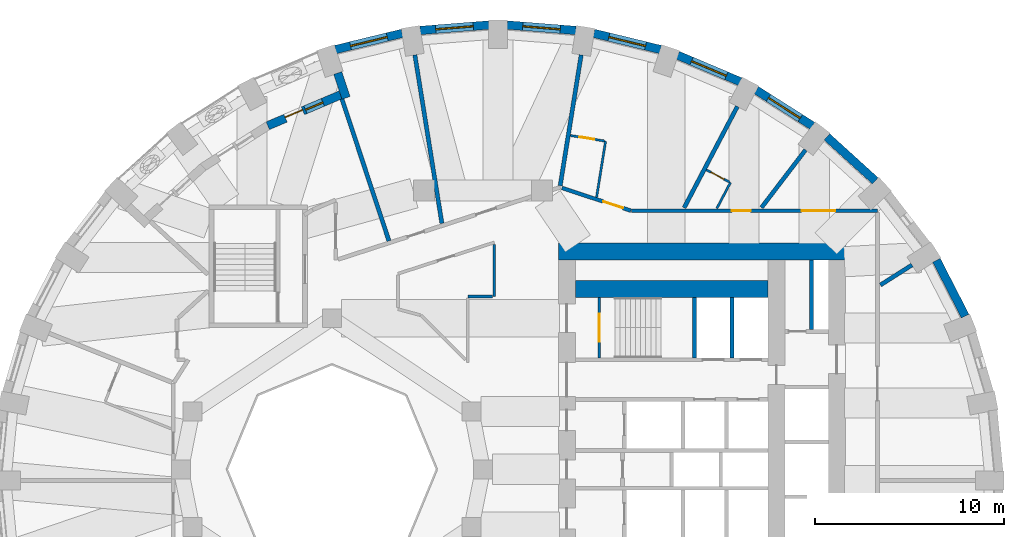
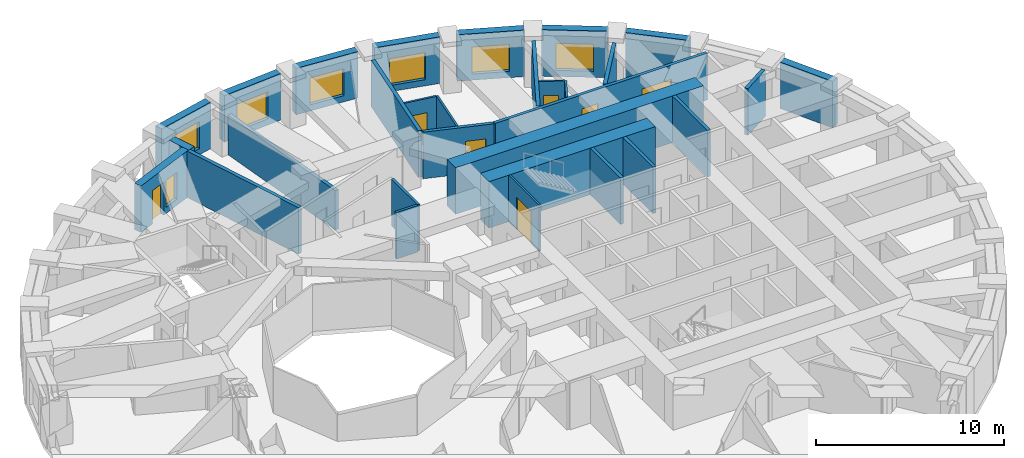
# One storey, part 8 of 12: 30 walls, 7 doors, 7 windows, 14 openings.
"""IFC4 building model written with IfcOpenShell, lengths in metres."""

from ifc_helpers import new_model, si_unit, direction, frame, frame_2d, origin, place, context, subcontext, project, spatial, rectangle, extrude, material, layer, layer_set, type_object, element, fill, save


model = new_model("IFC4")

# Units and contexts
model_context = context("Model", 3, precision=1e-05, world=origin(), true_north=direction((0.0, 1.0)))
body_context = subcontext(model_context, "Body", "Model", "MODEL_VIEW")
ifc_project = project(units=[si_unit("LENGTHUNIT", "METRE"), si_unit("AREAUNIT", "SQUARE_METRE"), si_unit("VOLUMEUNIT", "CUBIC_METRE"), si_unit("PLANEANGLEUNIT", "RADIAN"), si_unit("MASSUNIT", "GRAM", prefix="KILO")], contexts=[model_context])

# Site, building, storey
site_placement = place(None, origin())
site = spatial("IfcSite", under=ifc_project, at=site_placement, CompositionType="ELEMENT")
building_placement = place(site_placement, origin())
building = spatial("IfcBuilding", under=site, at=building_placement, Name="Taillehof Tower", CompositionType="ELEMENT")
storey_placement = place(building_placement, frame((0.0, 0.0, 121.89990234375)))
storey = spatial("IfcBuildingStorey", under=building, at=storey_placement, Name="L34", CompositionType="ELEMENT", Elevation=121.89990234375)

# Walls
ifc_material_1 = material(Name="Brick masonry", Category="masonry")
ifc_layer_1 = layer(ifc_material_1, 0.449951171875)
ifc_layer_set_1 = layer_set([ifc_layer_1], Name="Brick infill wall 450")
wall_type_1 = type_object("IfcWallType", Name="Brick infill wall 450", PredefinedType="SOLIDWALL", material=ifc_layer_set_1)
wall_1_placement = place(storey_placement, frame((25.545166015625, 8.1123046875, 0.0), z_axis=(0.0, 0.0, 1.0), x_axis=(-0.456828186229, 0.889554949549, 0.0)))
element("IfcWall", 1, at=wall_1_placement, inside=storey, type_object=wall_type_1, Name="Brick wall L34 bay 3", PredefinedType="SOLIDWALL", context=body_context, shape_type="SweptSolid", body=[
    extrude(rectangle(XDim=3.332763671875, YDim=0.449951171875, at=frame_2d((1.66650390625, 0.0))), origin(), (0.0, 0.0, 1.0), 3.02001953125),
])
wall_2_placement = place(storey_placement, frame((20.783935546875, 15.281005859375, 0.0), z_axis=(0.0, 0.0, 1.0), x_axis=(-0.74032902847, 0.672244694739, 0.0)))
element("IfcWall", 2, at=wall_2_placement, inside=storey, type_object=wall_type_1, Name="Brick wall L34 bay 5", PredefinedType="SOLIDWALL", context=body_context, shape_type="SweptSolid", body=[
    extrude(rectangle(XDim=3.4638671875, YDim=0.449951171875, at=frame_2d((1.73193359375, 0.0))), origin(), (0.0, 0.0, 1.0), 3.02001953125),
])

# Wall, opening, window
wall_3_placement = place(storey_placement, frame((17.456298828125, 18.19189453125, 0.0), z_axis=(0.0, 0.0, 1.0), x_axis=(-0.843880549131, 0.536531097699, 0.0)))
wall_3 = element("IfcWall", 3, at=wall_3_placement, inside=storey, type_object=wall_type_1, Name="Brick wall L34 bay 6", PredefinedType="SOLIDWALL", context=body_context, shape_type="SweptSolid", body=[
    extrude(rectangle(XDim=3.532470703125, YDim=0.449951171875, at=frame_2d((1.76611328125, 0.0))), origin(), (0.0, 0.0, 1.0), 3.02001953125),
])
opening_1_placement = place(wall_3_placement, frame((0.76611328125, 0.0, 0.39990234375)))
opening_1 = element("IfcOpeningElement", 4, at=opening_1_placement, cuts=wall_3, Name="Opening W2", PredefinedType="OPENING", context=body_context, shape_type="SweptSolid", body=[
    extrude(rectangle(XDim=2.0, YDim=1.75, at=frame_2d((1.0, 0.875))), frame((0.0, 0.23486328125, 0.0), z_axis=(0.0, -1.0, 0.0), x_axis=(1.0, 0.0, 0.0)), (0.0, 0.0, 1.0), 0.469970703125),
])
ifc_material_2 = material(Name="Aluminium window frame with clear double glazing", Category="aluminium")
window_type_1 = type_object("IfcWindowType", Name="Deep-set window 2000x1750", PartitioningType="SINGLE_PANEL", PredefinedType="WINDOW", material=ifc_material_2)
window_1_placement = place(opening_1_placement, origin())
window_1 = element("IfcWindow", 5, at=window_1_placement, inside=storey, type_object=window_type_1, Name="W2", OverallHeight=1.75, OverallWidth=2.0, PartitioningType="SINGLE_PANEL", PredefinedType="WINDOW", context=body_context, shape_type="SweptSolid", body=[
    extrude(rectangle(XDim=2.0, YDim=1.75, at=frame_2d((1.0, 0.875))), frame((0.0, 0.034912109375, 0.0), z_axis=(0.0, -1.0, 0.0), x_axis=(1.0, 0.0, 0.0)), (0.0, 0.0, 1.0), 0.06005859375),
])
fill(opening_1, window_1)

wall_4_placement = place(storey_placement, frame((13.625244140625, 20.533447265625, 0.0), z_axis=(0.0, 0.0, 1.0), x_axis=(-0.920869643542, 0.389870619055, 0.0)))
wall_4 = element("IfcWall", 6, at=wall_4_placement, inside=storey, type_object=wall_type_1, Name="Brick wall L34 bay 7", PredefinedType="SOLIDWALL", context=body_context, shape_type="SweptSolid", body=[
    extrude(rectangle(XDim=3.59130859375, YDim=0.449951171875, at=frame_2d((1.795654296875, 0.0))), origin(), (0.0, 0.0, 1.0), 3.02001953125),
])
opening_2_placement = place(wall_4_placement, frame((0.795654296875, 0.0, 0.39990234375)))
opening_2 = element("IfcOpeningElement", 7, at=opening_2_placement, cuts=wall_4, Name="Opening W2", PredefinedType="OPENING", context=body_context, shape_type="SweptSolid", body=[
    extrude(rectangle(XDim=2.0, YDim=1.75, at=frame_2d((1.0, 0.875))), frame((0.0, 0.23486328125, 0.0), z_axis=(0.0, -1.0, 0.0), x_axis=(1.0, 0.0, 0.0)), (0.0, 0.0, 1.0), 0.469970703125),
])
window_2_placement = place(opening_2_placement, origin())
window_2 = element("IfcWindow", 8, at=window_2_placement, inside=storey, type_object=window_type_1, Name="W2", OverallHeight=1.75, OverallWidth=2.0, PartitioningType="SINGLE_PANEL", PredefinedType="WINDOW", context=body_context, shape_type="SweptSolid", body=[
    extrude(rectangle(XDim=2.0, YDim=1.75, at=frame_2d((1.0, 0.875))), frame((0.0, 0.034912109375, 0.0), z_axis=(0.0, -1.0, 0.0), x_axis=(1.0, 0.0, 0.0)), (0.0, 0.0, 1.0), 0.06005859375),
])
fill(opening_2, window_2)

wall_5_placement = place(storey_placement, frame((9.406494140625, 22.2353515625, 0.0), z_axis=(0.0, 0.0, 1.0), x_axis=(-0.971667603162, 0.236351579148, 0.0)))
wall_5 = element("IfcWall", 9, at=wall_5_placement, inside=storey, type_object=wall_type_1, Name="Brick wall L34 bay 8", PredefinedType="SOLIDWALL", context=body_context, shape_type="SweptSolid", body=[
    extrude(rectangle(XDim=3.635009765625, YDim=0.449951171875, at=frame_2d((1.8173828125, 0.0))), origin(), (0.0, 0.0, 1.0), 3.02001953125),
])
opening_3_placement = place(wall_5_placement, frame((0.8173828125, 0.0, 0.39990234375)))
opening_3 = element("IfcOpeningElement", 10, at=opening_3_placement, cuts=wall_5, Name="Opening W2", PredefinedType="OPENING", context=body_context, shape_type="SweptSolid", body=[
    extrude(rectangle(XDim=2.0, YDim=1.75, at=frame_2d((1.0, 0.875))), frame((0.0, 0.23486328125, 0.0), z_axis=(0.0, -1.0, 0.0), x_axis=(1.0, 0.0, 0.0)), (0.0, 0.0, 1.0), 0.469970703125),
])
window_3_placement = place(opening_3_placement, origin())
window_3 = element("IfcWindow", 11, at=window_3_placement, inside=storey, type_object=window_type_1, Name="W2", OverallHeight=1.75, OverallWidth=2.0, PartitioningType="SINGLE_PANEL", PredefinedType="WINDOW", context=body_context, shape_type="SweptSolid", body=[
    extrude(rectangle(XDim=2.0, YDim=1.75, at=frame_2d((1.0, 0.875))), frame((0.0, 0.034912109375, 0.0), z_axis=(0.0, -1.0, 0.0), x_axis=(1.0, 0.0, 0.0)), (0.0, 0.0, 1.0), 0.06005859375),
])
fill(opening_3, window_3)

wall_6_placement = place(storey_placement, frame((4.926513671875, 23.24658203125, 0.0), z_axis=(0.0, 0.0, 1.0), x_axis=(-0.996862216754, 0.079156306178, 0.0)))
wall_6 = element("IfcWall", 12, at=wall_6_placement, inside=storey, type_object=wall_type_1, Name="Brick wall L34 bay 9", PredefinedType="SOLIDWALL", context=body_context, shape_type="SweptSolid", body=[
    extrude(rectangle(XDim=3.657958984375, YDim=0.449951171875, at=frame_2d((1.8291015625, 0.0))), origin(), (0.0, 0.0, 1.0), 3.02001953125),
])
opening_4_placement = place(wall_6_placement, frame((0.8291015625, 0.0, 0.39990234375)))
opening_4 = element("IfcOpeningElement", 13, at=opening_4_placement, cuts=wall_6, Name="Opening W2", PredefinedType="OPENING", context=body_context, shape_type="SweptSolid", body=[
    extrude(rectangle(XDim=2.0, YDim=1.75, at=frame_2d((1.0, 0.875))), frame((0.0, 0.23486328125, 0.0), z_axis=(0.0, -1.0, 0.0), x_axis=(1.0, 0.0, 0.0)), (0.0, 0.0, 1.0), 0.469970703125),
])
window_4_placement = place(opening_4_placement, origin())
window_4 = element("IfcWindow", 14, at=window_4_placement, inside=storey, type_object=window_type_1, Name="W2", OverallHeight=1.75, OverallWidth=2.0, PartitioningType="SINGLE_PANEL", PredefinedType="WINDOW", context=body_context, shape_type="SweptSolid", body=[
    extrude(rectangle(XDim=2.0, YDim=1.75, at=frame_2d((1.0, 0.875))), frame((0.0, 0.034912109375, 0.0), z_axis=(0.0, -1.0, 0.0), x_axis=(1.0, 0.0, 0.0)), (0.0, 0.0, 1.0), 0.06005859375),
])
fill(opening_4, window_4)

wall_7_placement = place(storey_placement, frame((0.31982421875, 23.5361328125, 0.0), z_axis=(0.0, 0.0, 1.0), x_axis=(-0.996862216754, -0.079156306178, 0.0)))
wall_7 = element("IfcWall", 15, at=wall_7_placement, inside=storey, type_object=wall_type_1, Name="Brick wall L34 bay 10", PredefinedType="SOLIDWALL", context=body_context, shape_type="SweptSolid", body=[
    extrude(rectangle(XDim=3.657958984375, YDim=0.449951171875, at=frame_2d((1.8291015625, 0.0))), origin(), (0.0, 0.0, 1.0), 3.02001953125),
])
opening_5_placement = place(wall_7_placement, frame((0.8291015625, 0.0, 0.39990234375)))
opening_5 = element("IfcOpeningElement", 16, at=opening_5_placement, cuts=wall_7, Name="Opening W2", PredefinedType="OPENING", context=body_context, shape_type="SweptSolid", body=[
    extrude(rectangle(XDim=2.0, YDim=1.75, at=frame_2d((1.0, 0.875))), frame((0.0, 0.23486328125, 0.0), z_axis=(0.0, -1.0, 0.0), x_axis=(1.0, 0.0, 0.0)), (0.0, 0.0, 1.0), 0.469970703125),
])
window_5_placement = place(opening_5_placement, origin())
window_5 = element("IfcWindow", 17, at=window_5_placement, inside=storey, type_object=window_type_1, Name="W2", OverallHeight=1.75, OverallWidth=2.0, PartitioningType="SINGLE_PANEL", PredefinedType="WINDOW", context=body_context, shape_type="SweptSolid", body=[
    extrude(rectangle(XDim=2.0, YDim=1.75, at=frame_2d((1.0, 0.875))), frame((0.0, 0.034912109375, 0.0), z_axis=(0.0, -1.0, 0.0), x_axis=(1.0, 0.0, 0.0)), (0.0, 0.0, 1.0), 0.06005859375),
])
fill(opening_5, window_5)

wall_8_placement = place(storey_placement, frame((-4.274658203125, 23.094482421875, 0.0), z_axis=(0.0, 0.0, 1.0), x_axis=(-0.971667603162, -0.236351579148, 0.0)))
wall_8 = element("IfcWall", 18, at=wall_8_placement, inside=storey, type_object=wall_type_1, Name="Brick wall L34 bay 11", PredefinedType="SOLIDWALL", context=body_context, shape_type="SweptSolid", body=[
    extrude(rectangle(XDim=3.635009765625, YDim=0.449951171875, at=frame_2d((1.8173828125, 0.0))), origin(), (0.0, 0.0, 1.0), 3.02001953125),
])
opening_6_placement = place(wall_8_placement, frame((0.8173828125, 0.0, 0.39990234375)))
opening_6 = element("IfcOpeningElement", 19, at=opening_6_placement, cuts=wall_8, Name="Opening W2", PredefinedType="OPENING", context=body_context, shape_type="SweptSolid", body=[
    extrude(rectangle(XDim=2.0, YDim=1.75, at=frame_2d((1.0, 0.875))), frame((0.0, 0.23486328125, 0.0), z_axis=(0.0, -1.0, 0.0), x_axis=(1.0, 0.0, 0.0)), (0.0, 0.0, 1.0), 0.469970703125),
])
window_6_placement = place(opening_6_placement, origin())
window_6 = element("IfcWindow", 20, at=window_6_placement, inside=storey, type_object=window_type_1, Name="W2", OverallHeight=1.75, OverallWidth=2.0, PartitioningType="SINGLE_PANEL", PredefinedType="WINDOW", context=body_context, shape_type="SweptSolid", body=[
    extrude(rectangle(XDim=2.0, YDim=1.75, at=frame_2d((1.0, 0.875))), frame((0.0, 0.034912109375, 0.0), z_axis=(0.0, -1.0, 0.0), x_axis=(1.0, 0.0, 0.0)), (0.0, 0.0, 1.0), 0.06005859375),
])
fill(opening_6, window_6)

# Wall
wall_9_placement = place(storey_placement, frame((-7.68701171875, 20.99462890625, 0.0), z_axis=(0.0, 0.0, 1.0), x_axis=(0.314541283205, -0.949243794375, 0.0)))
element("IfcWall", 21, at=wall_9_placement, inside=storey, type_object=wall_type_1, Name="Brick reveal L34 pocket 3", PredefinedType="SOLIDWALL", context=body_context, shape_type="SweptSolid", body=[
    extrude(rectangle(XDim=1.39013671875, YDim=0.449951171875, at=frame_2d((0.695068359375, 0.0))), origin(), (0.0, 0.0, 1.0), 3.02001953125),
])

# Wall, openings, door, window
wall_10_placement = place(storey_placement, frame((-7.540283203125, 19.8359375, 0.0), z_axis=(0.0, 0.0, 1.0), x_axis=(-0.920502375708, -0.390736965637, 0.0)))
wall_10 = element("IfcWall", 22, at=wall_10_placement, inside=storey, type_object=wall_type_1, Name="Brick wall L34 pocket bay 12", PredefinedType="SOLIDWALL", context=body_context, shape_type="SweptSolid", body=[
    extrude(rectangle(XDim=4.188232421875, YDim=0.449951171875, at=frame_2d((2.09423828125, 0.0))), origin(), (0.0, 0.0, 1.0), 3.02001953125),
])
opening_7_placement = place(wall_10_placement, frame((1.01904296875, 0.0, 0.39990234375)))
opening_7 = element("IfcOpeningElement", 23, at=opening_7_placement, cuts=wall_10, Name="Opening W5", PredefinedType="OPENING", context=body_context, shape_type="SweptSolid", body=[
    extrude(rectangle(XDim=1.0, YDim=1.75, at=frame_2d((0.5, 0.875))), frame((0.0, 0.23486328125, 0.0), z_axis=(0.0, -1.0, 0.0), x_axis=(1.0, 0.0, 0.0)), (0.0, 0.0, 1.0), 0.469970703125),
])
opening_8_placement = place(wall_10_placement, frame((2.169189453125, 0.0, 0.0)))
opening_8 = element("IfcOpeningElement", 24, at=opening_8_placement, cuts=wall_10, Name="Opening D3494", PredefinedType="OPENING", context=body_context, shape_type="SweptSolid", body=[
    extrude(rectangle(XDim=1.0, YDim=2.14990234375, at=frame_2d((0.5, 1.074951171875))), frame((0.0, 0.23486328125, 0.0), z_axis=(0.0, -1.0, 0.0), x_axis=(1.0, 0.0, 0.0)), (0.0, 0.0, 1.0), 0.469970703125),
])
ifc_material_3 = material(Name="Aluminium door frame with clear double glazing", Category="aluminium")
door_type_1 = type_object("IfcDoorType", Name="Balcony door 1000x2150", OperationType="SINGLE_SWING_RIGHT", PredefinedType="DOOR", material=ifc_material_3)
door_1_placement = place(opening_8_placement, frame((1.0, 0.0, 0.0), z_axis=(0.0, 0.0, 1.0), x_axis=(-1.0, 0.0, 0.0)))
door_1 = element("IfcDoor", 25, at=door_1_placement, inside=storey, type_object=door_type_1, Name="Balcony door L34 bay 12", OperationType="SINGLE_SWING_RIGHT", OverallHeight=2.14990234375, OverallWidth=1.0, PredefinedType="DOOR", context=body_context, shape_type="SweptSolid", body=[
    extrude(rectangle(XDim=1.0, YDim=2.14990234375, at=frame_2d((0.5, 1.074951171875))), frame((0.0, 0.0751953125, 0.0), z_axis=(0.0, -1.0, 0.0), x_axis=(1.0, 0.0, 0.0)), (0.0, 0.0, 1.0), 0.050048828125),
])
fill(opening_8, door_1)
ifc_material_4 = material(Name="Aluminium window frame with clear double glazing", Category="aluminium")
window_type_2 = type_object("IfcWindowType", Name="Fixed window 1000x1750", PartitioningType="SINGLE_PANEL", PredefinedType="WINDOW", material=ifc_material_4)
window_7_placement = place(opening_7_placement, origin())
window_7 = element("IfcWindow", 26, at=window_7_placement, inside=storey, type_object=window_type_2, Name="W5", OverallHeight=1.75, OverallWidth=1.0, PartitioningType="SINGLE_PANEL", PredefinedType="WINDOW", context=body_context, shape_type="SweptSolid", body=[
    extrude(rectangle(XDim=1.0, YDim=1.75, at=frame_2d((0.5, 0.875))), frame((0.0, 0.034912109375, 0.0), z_axis=(0.0, -1.0, 0.0), x_axis=(1.0, 0.0, 0.0)), (0.0, 0.0, 1.0), 0.06005859375),
])
fill(opening_7, window_7)

# Wall
ifc_material_5 = material(Name="Calcium silicate masonry", Category="masonry")
ifc_layer_2 = layer(ifc_material_5, 0.199951171875)
ifc_layer_set_2 = layer_set([ifc_layer_2], Name="Compartment wall calcium silicate 200")
wall_type_2 = type_object("IfcWallType", Name="Compartment wall calcium silicate 200", PredefinedType="PARTITIONING", material=ifc_layer_set_2)
wall_11_placement = place(storey_placement, frame((17.39990234375, 7.39990234375, 0.0), z_axis=(0.0, 0.0, 1.0), x_axis=(0.0, 1.0, 0.0)))
element("IfcWall", 27, at=wall_11_placement, inside=storey, type_object=wall_type_2, Name="Compartment wall FW", PredefinedType="PARTITIONING", context=body_context, shape_type="SweptSolid", body=[
    extrude(rectangle(XDim=3.7001953125, YDim=0.199951171875, at=frame_2d((1.85009765625, 0.0))), origin(), (0.0, 0.0, 1.0), 3.02001953125),
])

# Wall, opening, door
ifc_material_6 = material(Name="Gypsum board on steel studs, two layers each side", Category="steel")
ifc_layer_3 = layer(ifc_material_6, 0.199951171875)
ifc_layer_set_3 = layer_set([ifc_layer_3], Name="Compartment wall corridor 200")
wall_type_3 = type_object("IfcWallType", Name="Compartment wall corridor 200", PredefinedType="PARTITIONING", material=ifc_layer_set_3)
wall_12_placement = place(storey_placement, frame((4.185791015625, 14.90625, 0.0), z_axis=(0.0, 0.0, 1.0), x_axis=(0.94947428881, -0.313844826131, 0.0)))
wall_12 = element("IfcWall", 28, at=wall_12_placement, inside=storey, type_object=wall_type_3, Name="Compartment wall", PredefinedType="PARTITIONING", context=body_context, shape_type="SweptSolid", body=[
    extrude(rectangle(XDim=3.843505859375, YDim=0.199951171875, at=frame_2d((1.921875, 0.0))), origin(), (0.0, 0.0, 1.0), 3.02001953125),
])
opening_9_placement = place(wall_12_placement, frame((2.29833984375, 0.0, 0.0)))
opening_9 = element("IfcOpeningElement", 29, at=opening_9_placement, cuts=wall_12, Name="Opening D3442", PredefinedType="OPENING", context=body_context, shape_type="SweptSolid", body=[
    extrude(rectangle(XDim=1.10009765625, YDim=2.10009765625, at=frame_2d((0.550048828125, 1.050048828125))), frame((0.0, 0.10986328125, 0.0), z_axis=(0.0, -1.0, 0.0), x_axis=(1.0, 0.0, 0.0)), (0.0, 0.0, 1.0), 0.219970703125),
])
ifc_material_7 = material(Name="Timber door leaf in steel frame", Category="steel")
door_type_2 = type_object("IfcDoorType", Name="Suite entrance door EI 30 1100 x 2100", OperationType="SINGLE_SWING_LEFT", PredefinedType="DOOR", material=ifc_material_7)
door_2_placement = place(opening_9_placement, origin())
door_2 = element("IfcDoor", 30, at=door_2_placement, inside=storey, type_object=door_type_2, Name="D3442", OperationType="SINGLE_SWING_LEFT", OverallHeight=2.10009765625, OverallWidth=1.10009765625, PredefinedType="DOOR", context=body_context, shape_type="SweptSolid", body=[
    extrude(rectangle(XDim=1.10009765625, YDim=2.10009765625, at=frame_2d((0.550048828125, 1.050048828125))), frame((0.0, 0.02490234375, 0.0), z_axis=(0.0, -1.0, 0.0), x_axis=(1.0, 0.0, 0.0)), (0.0, 0.0, 1.0), 0.050048828125),
])
fill(opening_9, door_2)

# Wall, openings, doors
wall_13_placement = place(storey_placement, frame((7.875244140625, 13.699951171875, 0.0), z_axis=(0.0, 0.0, 1.0), x_axis=(1.0, 0.0, 0.0)))
wall_13 = element("IfcWall", 31, at=wall_13_placement, inside=storey, type_object=wall_type_3, Name="Compartment wall", PredefinedType="PARTITIONING", context=body_context, shape_type="SweptSolid", body=[
    extrude(rectangle(XDim=13.024658203125, YDim=0.199951171875, at=frame_2d((6.51220703125, 0.0))), origin(), (0.0, 0.0, 1.0), 3.02001953125),
])
opening_10_placement = place(wall_13_placement, frame((5.310546875, 0.0, 0.0)))
opening_10 = element("IfcOpeningElement", 32, at=opening_10_placement, cuts=wall_13, Name="Opening D3440", PredefinedType="OPENING", context=body_context, shape_type="SweptSolid", body=[
    extrude(rectangle(XDim=1.0, YDim=2.10009765625, at=frame_2d((0.5, 1.050048828125))), frame((0.0, 0.10986328125, 0.0), z_axis=(0.0, -1.0, 0.0), x_axis=(1.0, 0.0, 0.0)), (0.0, 0.0, 1.0), 0.219970703125),
])
opening_11_placement = place(wall_13_placement, frame((8.999755859375, 0.0, 0.0)))
opening_11 = element("IfcOpeningElement", 33, at=opening_11_placement, cuts=wall_13, Name="Opening D3465", PredefinedType="OPENING", context=body_context, shape_type="SweptSolid", body=[
    extrude(rectangle(XDim=1.800048828125, YDim=2.10009765625, at=frame_2d((0.89990234375, 1.050048828125))), frame((0.0, 0.10986328125, 0.0), z_axis=(0.0, -1.0, 0.0), x_axis=(1.0, 0.0, 0.0)), (0.0, 0.0, 1.0), 0.219970703125),
])
ifc_material_8 = material(Name="Timber door leaf in steel frame", Category="steel")
door_type_3 = type_object("IfcDoorType", Name="Guest room door EI 30 1000 x 2100", OperationType="SINGLE_SWING_LEFT", PredefinedType="DOOR", material=ifc_material_8)
door_3_placement = place(opening_10_placement, origin())
door_3 = element("IfcDoor", 34, at=door_3_placement, inside=storey, type_object=door_type_3, Name="D3440", OperationType="SINGLE_SWING_RIGHT", OverallHeight=2.10009765625, OverallWidth=1.0, PredefinedType="DOOR", context=body_context, shape_type="SweptSolid", body=[
    extrude(rectangle(XDim=1.0, YDim=2.10009765625, at=frame_2d((0.5, 1.050048828125))), frame((0.0, 0.02490234375, 0.0), z_axis=(0.0, -1.0, 0.0), x_axis=(1.0, 0.0, 0.0)), (0.0, 0.0, 1.0), 0.050048828125),
])
fill(opening_10, door_3)
ifc_material_9 = material(Name="Timber door leaf in steel frame", Category="steel")
door_type_4 = type_object("IfcDoorType", Name="Lounge and meeting room double door EI 30 1800 x 2100", OperationType="SINGLE_SWING_LEFT", PredefinedType="DOOR", material=ifc_material_9)
door_4_placement = place(opening_11_placement, origin())
door_4 = element("IfcDoor", 35, at=door_4_placement, inside=storey, type_object=door_type_4, Name="D3465", OperationType="DOUBLE_DOOR_SINGLE_SWING", OverallHeight=2.10009765625, OverallWidth=1.800048828125, PredefinedType="DOOR", context=body_context, shape_type="SweptSolid", body=[
    extrude(rectangle(XDim=1.800048828125, YDim=2.10009765625, at=frame_2d((0.89990234375, 1.050048828125))), frame((0.0, 0.02490234375, 0.0), z_axis=(0.0, -1.0, 0.0), x_axis=(1.0, 0.0, 0.0)), (0.0, 0.0, 1.0), 0.050048828125),
])
fill(opening_11, door_4)

# Walls
ifc_material_10 = material(Name="Gypsum board on double steel studs with mineral wool", Category="steel")
ifc_layer_4 = layer(ifc_material_10, 0.219970703125)
ifc_layer_set_4 = layer_set([ifc_layer_4], Name="Compartment wall guest room 220")
wall_type_4 = type_object("IfcWallType", Name="Compartment wall guest room 220", PredefinedType="PARTITIONING", material=ifc_layer_set_4)
wall_14_placement = place(storey_placement, frame((22.7265625, 10.8232421875, 0.0), z_axis=(0.0, 0.0, 1.0), x_axis=(-0.844587282199, -0.535417895431, 0.0)))
element("IfcWall", 36, at=wall_14_placement, inside=storey, type_object=wall_type_4, Name="Compartment wall", PredefinedType="PARTITIONING", context=body_context, shape_type="SweptSolid", body=[
    extrude(rectangle(XDim=1.984375, YDim=0.219970703125, at=frame_2d((0.9921875, 0.0))), origin(), (0.0, 0.0, 1.0), 3.02001953125),
])
wall_15_placement = place(storey_placement, frame((17.08935546875, 16.9208984375, 0.0), z_axis=(0.0, 0.0, 1.0), x_axis=(-0.607033117359, -0.794676534465, 0.0)))
element("IfcWall", 37, at=wall_15_placement, inside=storey, type_object=wall_type_4, Name="Compartment wall", PredefinedType="PARTITIONING", context=body_context, shape_type="SweptSolid", body=[
    extrude(rectangle(XDim=3.847412109375, YDim=0.219970703125, at=frame_2d((1.923828125, 0.0))), origin(), (0.0, 0.0, 1.0), 3.02001953125),
])
wall_16_placement = place(storey_placement, frame((13.47607421875, 19.217529296875, 0.0), z_axis=(0.0, 0.0, 1.0), x_axis=(-0.465346231977, -0.885128738876, 0.0)))
element("IfcWall", 38, at=wall_16_placement, inside=storey, type_object=wall_type_4, Name="Compartment wall", PredefinedType="PARTITIONING", context=body_context, shape_type="SweptSolid", body=[
    extrude(rectangle(XDim=6.06005859375, YDim=0.219970703125, at=frame_2d((3.030029296875, 0.0))), origin(), (0.0, 0.0, 1.0), 3.02001953125),
])
wall_17_placement = place(storey_placement, frame((5.20458984375, 21.9501953125, 0.0), z_axis=(0.0, 0.0, 1.0), x_axis=(-0.158500652659, -0.987358872501, 0.0)))
element("IfcWall", 39, at=wall_17_placement, inside=storey, type_object=wall_type_4, Name="Compartment wall", PredefinedType="PARTITIONING", context=body_context, shape_type="SweptSolid", body=[
    extrude(rectangle(XDim=7.017578125, YDim=0.219970703125, at=frame_2d((3.5087890625, 0.0))), origin(), (0.0, 0.0, 1.0), 3.02001953125),
])
wall_18_placement = place(storey_placement, frame((-3.604736328125, 21.9501953125, 0.0), z_axis=(0.0, 0.0, 1.0), x_axis=(0.158519564718, -0.987355836364, 0.0)))
element("IfcWall", 40, at=wall_18_placement, inside=storey, type_object=wall_type_4, Name="Compartment wall", PredefinedType="PARTITIONING", context=body_context, shape_type="SweptSolid", body=[
    extrude(rectangle(XDim=9.034423828125, YDim=0.219970703125, at=frame_2d((4.51708984375, 0.0))), origin(), (0.0, 0.0, 1.0), 2.570068359375),
])
wall_19_placement = place(storey_placement, frame((-7.46923828125, 19.621826171875, 0.0), z_axis=(0.0, 0.0, 1.0), x_axis=(0.314545340174, -0.949242450049, 0.0)))
element("IfcWall", 41, at=wall_19_placement, inside=storey, type_object=wall_type_4, Name="Compartment wall", PredefinedType="PARTITIONING", context=body_context, shape_type="SweptSolid", body=[
    extrude(rectangle(XDim=7.925537109375, YDim=0.219970703125, at=frame_2d((3.962890625, 0.0))), origin(), (0.0, 0.0, 1.0), 3.02001953125),
])
ifc_material_11 = material(Name="Gypsum board on steel studs, two layers each side", Category="steel")
ifc_layer_5 = layer(ifc_material_11, 0.14990234375)
ifc_layer_set_5 = layer_set([ifc_layer_5], Name="Compartment wall service room 150")
wall_type_5 = type_object("IfcWallType", Name="Compartment wall service room 150", PredefinedType="PARTITIONING", material=ifc_layer_set_5)
wall_20_placement = place(storey_placement, frame((0.60009765625, 11.9169921875, 0.0), z_axis=(0.0, 0.0, 1.0), x_axis=(0.0, -1.0, 0.0)))
element("IfcWall", 42, at=wall_20_placement, inside=storey, type_object=wall_type_5, Name="Compartment wall", PredefinedType="PARTITIONING", context=body_context, shape_type="SweptSolid", body=[
    extrude(rectangle(XDim=2.76708984375, YDim=0.14990234375, at=frame_2d((1.383544921875, 0.0))), origin(), (0.0, 0.0, 1.0), 3.02001953125),
])
wall_21_placement = place(storey_placement, frame((0.52001953125, 9.14990234375, 0.0), z_axis=(0.0, 0.0, 1.0), x_axis=(-1.0, 0.0, 0.0)))
element("IfcWall", 43, at=wall_21_placement, inside=storey, type_object=wall_type_5, Name="Compartment wall", PredefinedType="PARTITIONING", context=body_context, shape_type="SweptSolid", body=[
    extrude(rectangle(XDim=1.320068359375, YDim=0.14990234375, at=frame_2d((0.66015625, 0.0))), origin(), (0.0, 0.0, 1.0), 3.02001953125),
])
ifc_material_12 = material(Name="Concrete C80/95", Category="concrete")
ifc_layer_6 = layer(ifc_material_12, 0.89990234375)
ifc_layer_set_6 = layer_set([ifc_layer_6], Name="Core wall C80/95 900")
wall_type_6 = type_object("IfcWallType", Name="Core wall C80/95 900", PredefinedType="SHEAR", material=ifc_layer_set_6)
wall_22_placement = place(storey_placement, frame((4.0, 11.550048828125, 0.0), z_axis=(0.0, 0.0, 1.0), x_axis=(1.0, 0.0, 0.0)))
element("IfcWall", 44, at=wall_22_placement, inside=storey, type_object=wall_type_6, Name="Core wall CW03", PredefinedType="SHEAR", context=body_context, shape_type="SweptSolid", body=[
    extrude(rectangle(XDim=15.199951171875, YDim=0.89990234375, at=frame_2d((7.60009765625, 0.0))), origin(), (0.0, 0.0, 1.0), 3.02001953125),
])
wall_23_placement = place(storey_placement, frame((4.89990234375, 9.550048828125, 0.0), z_axis=(0.0, 0.0, 1.0), x_axis=(1.0, 0.0, 0.0)))
element("IfcWall", 45, at=wall_23_placement, inside=storey, type_object=wall_type_6, Name="Core wall CW06", PredefinedType="SHEAR", context=body_context, shape_type="SweptSolid", body=[
    extrude(rectangle(XDim=10.2001953125, YDim=0.89990234375, at=frame_2d((5.10009765625, 0.0))), origin(), (0.0, 0.0, 1.0), 3.02001953125),
])
ifc_material_13 = material(Name="Gypsum board on steel studs, moisture resistant", Category="steel")
ifc_layer_7 = layer(ifc_material_13, 0.1201171875)
ifc_layer_set_7 = layer_set([ifc_layer_7], Name="En-suite wall 120")
wall_type_7 = type_object("IfcWallType", Name="En-suite wall 120", PredefinedType="PARTITIONING", material=ifc_layer_set_7)
wall_24_placement = place(storey_placement, frame((12.388671875, 13.81787109375, 0.0), z_axis=(0.0, 0.0, 1.0), x_axis=(0.465305514099, 0.885150144636, 0.0)))
element("IfcWall", 46, at=wall_24_placement, inside=storey, type_object=wall_type_7, Name="En-suite wall", PredefinedType="PARTITIONING", context=body_context, shape_type="SweptSolid", body=[
    extrude(rectangle(XDim=1.552001953125, YDim=0.1201171875, at=frame_2d((0.77587890625, 0.0))), origin(), (0.0, 0.0, 1.0), 3.02001953125),
])
wall_25_placement = place(storey_placement, frame((6.01904296875, 14.40576171875, 0.0), z_axis=(0.0, 0.0, 1.0), x_axis=(0.158524395275, 0.987355060808, 0.0)))
element("IfcWall", 47, at=wall_25_placement, inside=storey, type_object=wall_type_7, Name="En-suite wall", PredefinedType="PARTITIONING", context=body_context, shape_type="SweptSolid", body=[
    extrude(rectangle(XDim=3.013916015625, YDim=0.1201171875, at=frame_2d((1.5068359375, 0.0))), origin(), (0.0, 0.0, 1.0), 3.02001953125),
])

# Wall, opening, door
wall_26_placement = place(storey_placement, frame((13.057373046875, 15.219482421875, 0.0), z_axis=(0.0, 0.0, 1.0), x_axis=(-0.885071735195, 0.465454641784, 0.0)))
wall_26 = element("IfcWall", 48, at=wall_26_placement, inside=storey, type_object=wall_type_7, Name="En-suite wall", PredefinedType="PARTITIONING", context=body_context, shape_type="SweptSolid", body=[
    extrude(rectangle(XDim=1.37939453125, YDim=0.1201171875, at=frame_2d((0.689697265625, 0.0))), origin(), (0.0, 0.0, 1.0), 3.02001953125),
])
opening_12_placement = place(wall_26_placement, frame((0.314697265625, 0.0, 0.0)))
opening_12 = element("IfcOpeningElement", 49, at=opening_12_placement, cuts=wall_26, Name="Opening D3441", PredefinedType="OPENING", context=body_context, shape_type="SweptSolid", body=[
    extrude(rectangle(XDim=0.800048828125, YDim=2.10009765625, at=frame_2d((0.39990234375, 1.050048828125))), frame((0.0, 0.070068359375, 0.0), z_axis=(0.0, -1.0, 0.0), x_axis=(1.0, 0.0, 0.0)), (0.0, 0.0, 1.0), 0.14013671875),
])
ifc_material_14 = material(Name="Timber door leaf in steel frame", Category="steel")
door_type_5 = type_object("IfcDoorType", Name="En-suite door 800 x 2100", OperationType="SINGLE_SWING_LEFT", PredefinedType="DOOR", material=ifc_material_14)
door_5_placement = place(opening_12_placement, origin())
door_5 = element("IfcDoor", 50, at=door_5_placement, inside=storey, type_object=door_type_5, Name="D3441", OperationType="SINGLE_SWING_LEFT", OverallHeight=2.10009765625, OverallWidth=0.800048828125, PredefinedType="DOOR", context=body_context, shape_type="SweptSolid", body=[
    extrude(rectangle(XDim=0.800048828125, YDim=2.10009765625, at=frame_2d((0.39990234375, 1.050048828125))), frame((0.0, 0.02490234375, 0.0), z_axis=(0.0, -1.0, 0.0), x_axis=(1.0, 0.0, 0.0)), (0.0, 0.0, 1.0), 0.050048828125),
])
fill(opening_12, door_5)

wall_27_placement = place(storey_placement, frame((6.4375, 17.39111328125, 0.0), z_axis=(0.0, 0.0, 1.0), x_axis=(-0.987336342922, 0.158640934018, 0.0)))
wall_27 = element("IfcWall", 51, at=wall_27_placement, inside=storey, type_object=wall_type_7, Name="En-suite wall", PredefinedType="PARTITIONING", context=body_context, shape_type="SweptSolid", body=[
    extrude(rectangle(XDim=1.829833984375, YDim=0.1201171875, at=frame_2d((0.9150390625, 0.0))), origin(), (0.0, 0.0, 1.0), 3.02001953125),
])
opening_13_placement = place(wall_27_placement, frame((0.539794921875, 0.0, 0.0)))
opening_13 = element("IfcOpeningElement", 52, at=opening_13_placement, cuts=wall_27, Name="Opening D3443", PredefinedType="OPENING", context=body_context, shape_type="SweptSolid", body=[
    extrude(rectangle(XDim=0.800048828125, YDim=2.10009765625, at=frame_2d((0.39990234375, 1.050048828125))), frame((0.0, 0.070068359375, 0.0), z_axis=(0.0, -1.0, 0.0), x_axis=(1.0, 0.0, 0.0)), (0.0, 0.0, 1.0), 0.14013671875),
])
door_6_placement = place(opening_13_placement, origin())
door_6 = element("IfcDoor", 53, at=door_6_placement, inside=storey, type_object=door_type_5, Name="D3443", OperationType="SINGLE_SWING_LEFT", OverallHeight=2.10009765625, OverallWidth=0.800048828125, PredefinedType="DOOR", context=body_context, shape_type="SweptSolid", body=[
    extrude(rectangle(XDim=0.800048828125, YDim=2.10009765625, at=frame_2d((0.39990234375, 1.050048828125))), frame((0.0, 0.02490234375, 0.0), z_axis=(0.0, -1.0, 0.0), x_axis=(1.0, 0.0, 0.0)), (0.0, 0.0, 1.0), 0.050048828125),
])
fill(opening_13, door_6)

# Walls
ifc_material_15 = material(Name="Concrete C50/60", Category="concrete")
ifc_layer_8 = layer(ifc_material_15, 0.199951171875)
ifc_layer_set_8 = layer_set([ifc_layer_8], Name="Shaft wall C50/60 200")
wall_type_8 = type_object("IfcWallType", Name="Shaft wall C50/60 200", PredefinedType="SHEAR", material=ifc_layer_set_8)
for number, where, z_axis, x_axis, name in (
    (54, (11.199951171875, 5.89990234375, 0.0), (0.0, 0.0, 1.0), (0.0, 1.0, 0.0), "Shaft wall SW"),
    (55, (13.199951171875, 5.89990234375, 0.0), (0.0, 0.0, 1.0), (0.0, 1.0, 0.0), "Shaft wall SW"),
):
    element("IfcWall", number, at=place(storey_placement, frame(where, z_axis=z_axis, x_axis=x_axis)), inside=storey, type_object=wall_type_8, Name=name, PredefinedType="SHEAR", context=body_context, shape_type="SweptSolid", body=[
        extrude(rectangle(XDim=3.2001953125, YDim=0.199951171875, at=frame_2d((1.60009765625, 0.0))), origin(), (0.0, 0.0, 1.0), 3.02001953125),
    ])

# Wall, opening, door
ifc_material_16 = material(Name="Concrete C50/60", Category="concrete")
ifc_layer_9 = layer(ifc_material_16, 0.1201171875)
ifc_layer_set_9 = layer_set([ifc_layer_9], Name="Stair lobby wall C50/60 120")
wall_type_9 = type_object("IfcWallType", Name="Stair lobby wall C50/60 120", PredefinedType="SHEAR", material=ifc_layer_set_9)
wall_28_placement = place(storey_placement, frame((6.159912109375, 5.89990234375, 0.0), z_axis=(0.0, 0.0, 1.0), x_axis=(0.0, 1.0, 0.0)))
wall_28 = element("IfcWall", 56, at=wall_28_placement, inside=storey, type_object=wall_type_9, Name="Compartment wall SW", PredefinedType="SHEAR", context=body_context, shape_type="SweptSolid", body=[
    extrude(rectangle(XDim=3.2001953125, YDim=0.1201171875, at=frame_2d((1.60009765625, 0.0))), origin(), (0.0, 0.0, 1.0), 3.02001953125),
])
opening_14_placement = place(wall_28_placement, frame((0.85009765625, 0.0, 0.0)))
opening_14 = element("IfcOpeningElement", 57, at=opening_14_placement, cuts=wall_28, Name="Opening D3410", PredefinedType="OPENING", context=body_context, shape_type="SweptSolid", body=[
    extrude(rectangle(XDim=1.5, YDim=2.10009765625, at=frame_2d((0.75, 1.050048828125))), frame((0.0, 0.070068359375, 0.0), z_axis=(0.0, -1.0, 0.0), x_axis=(1.0, 0.0, 0.0)), (0.0, 0.0, 1.0), 0.14013671875),
])
ifc_material_17 = material(Name="Steel-faced fire door", Category="steel")
door_type_6 = type_object("IfcDoorType", Name="Stair door 1500x2100", OperationType="DOUBLE_DOOR_SINGLE_SWING", PredefinedType="DOOR", material=ifc_material_17)
door_7_placement = place(opening_14_placement, origin())
door_7 = element("IfcDoor", 58, at=door_7_placement, inside=storey, type_object=door_type_6, Name="Stair lobby door S1", OperationType="DOUBLE_DOOR_SINGLE_SWING", OverallHeight=2.10009765625, OverallWidth=1.5, PredefinedType="DOOR", context=body_context, shape_type="SweptSolid", body=[
    extrude(rectangle(XDim=1.5, YDim=2.10009765625, at=frame_2d((0.75, 1.050048828125))), frame((0.0, 0.02490234375, 0.0), z_axis=(0.0, -1.0, 0.0), x_axis=(1.0, 0.0, 0.0)), (0.0, 0.0, 1.0), 0.050048828125),
])
fill(opening_14, door_7)

save(model, "model.ifc")
